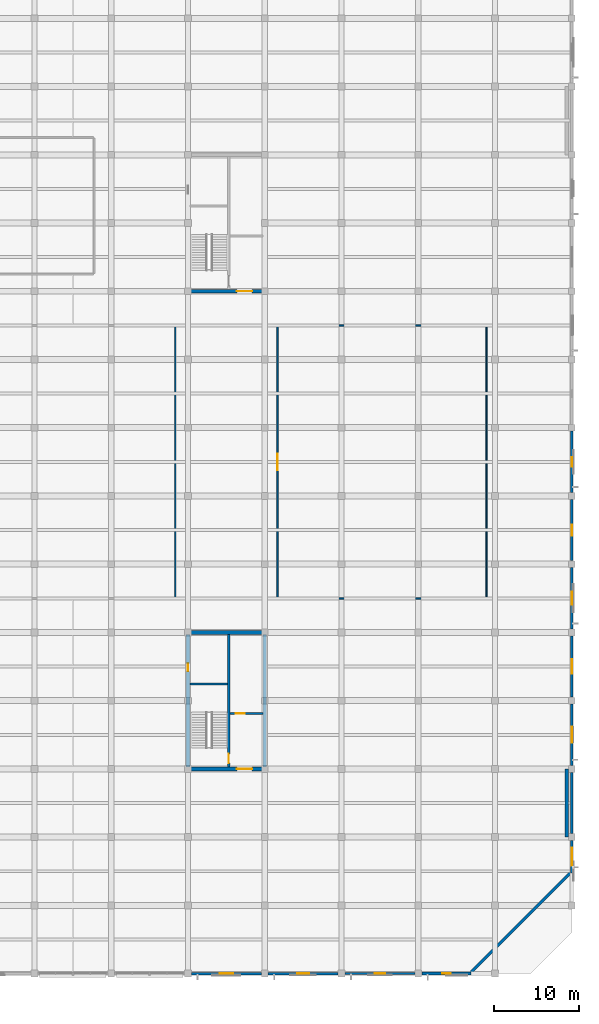
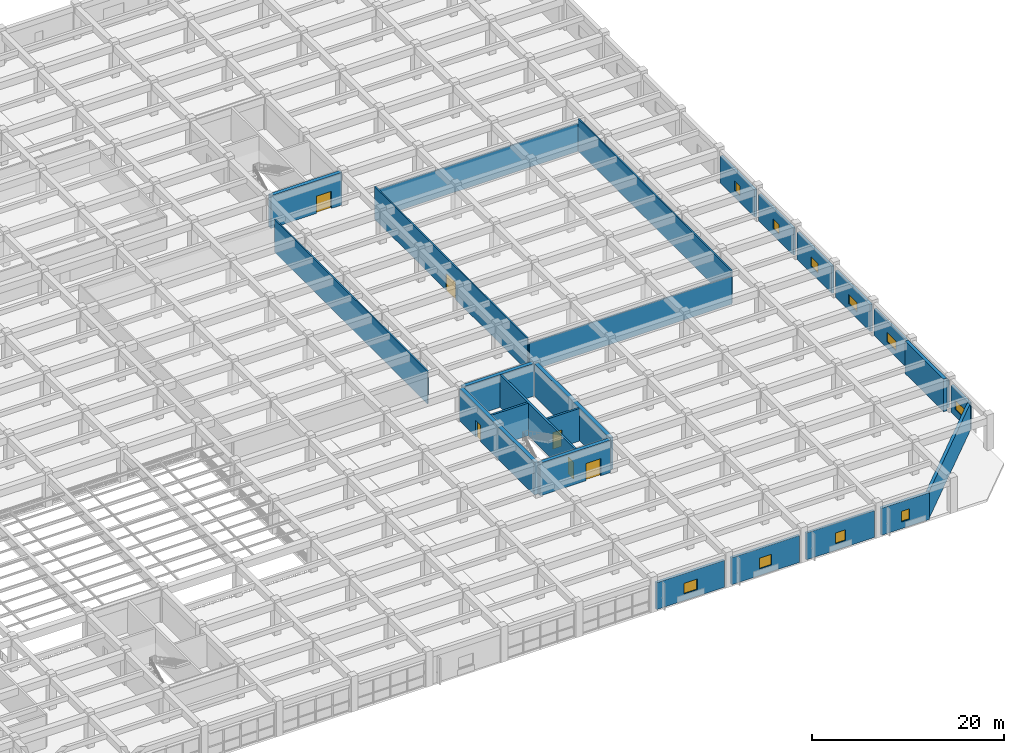
# One storey, part 33 of 50: 26 walls, 10 windows, 6 doors, 16 openings.
"""IFC4 building model written with IfcOpenShell, lengths in metres."""

from ifc_helpers import new_model, si_unit, direction, frame, frame_2d, origin, place, context, subcontext, project, spatial, rectangle, extrude, material, layer, layer_set, type_object, element, fill, save


model = new_model("IFC4")

# Units and contexts
model_context = context("Model", 3, precision=1e-05, world=origin(), true_north=direction((0.0, 1.0)))
body_context = subcontext(model_context, "Body", "Model", "MODEL_VIEW")
ifc_project = project(units=[si_unit("LENGTHUNIT", "METRE"), si_unit("AREAUNIT", "SQUARE_METRE"), si_unit("VOLUMEUNIT", "CUBIC_METRE"), si_unit("PLANEANGLEUNIT", "RADIAN"), si_unit("MASSUNIT", "GRAM", prefix="KILO")], contexts=[model_context])

# Site, building, storey
site_placement = place(None, origin())
site = spatial("IfcSite", under=ifc_project, at=site_placement, CompositionType="ELEMENT")
building_placement = place(site_placement, origin())
building = spatial("IfcBuilding", under=site, at=building_placement, Name="Zaverband Oceanarium and Marine Research Institute", CompositionType="ELEMENT")
storey_placement = place(building_placement, frame((0.0, 0.0, 9.0)))
storey = spatial("IfcBuildingStorey", under=building, at=storey_placement, Name="L02", CompositionType="ELEMENT", Elevation=9.0)

# Wall, opening, door
ifc_material_1 = material(Name="Concrete C50/60", Category="concrete")
ifc_layer_1 = layer(ifc_material_1, 0.449951171875, Name="Concrete C50/60")
ifc_layer_set_1 = layer_set([ifc_layer_1], Name="Concrete C50/60")
wall_type_1 = type_object("IfcWallType", Name="CW-02", PredefinedType="SHEAR", material=ifc_layer_set_1)
wall_1_placement = place(storey_placement, frame((135.22509765625, 24.0, 0.0), z_axis=(0.0, 0.0, 1.0), x_axis=(1.0, 0.0, 0.0)))
wall_1 = element("IfcWall", 1, at=wall_1_placement, inside=storey, type_object=wall_type_1, Name="Structural shear wall CW-02", PredefinedType="SHEAR", context=body_context, shape_type="SweptSolid", body=[
    extrude(rectangle(XDim=8.5498046875, YDim=0.449951171875, at=frame_2d((4.27490234375, 0.0))), origin(), (0.0, 0.0, 1.0), 4.139892578125),
])
opening_1_placement = place(wall_1_placement, frame((5.5, 0.0, 0.0)))
opening_1 = element("IfcOpeningElement", 2, at=opening_1_placement, cuts=wall_1, Name="Opening FD-02", PredefinedType="OPENING", context=body_context, shape_type="SweptSolid", body=[
    extrude(rectangle(XDim=1.800048828125, YDim=2.179931640625, at=frame_2d((0.89990234375, 1.08984375))), frame((0.0, 0.23681640625, 0.0), z_axis=(0.0, -1.0, 0.0), x_axis=(1.0, 0.0, 0.0)), (0.0, 0.0, 1.0), 0.473876953125),
])
ifc_material_2 = material(Name="Steel S355", Category="steel")
door_type_1 = type_object("IfcDoorType", Name="FD-02", OperationType="DOUBLE_DOOR_SINGLE_SWING", PredefinedType="DOOR", material=ifc_material_2)
door_1_placement = place(opening_1_placement, origin())
door_1 = element("IfcDoor", 3, at=door_1_placement, inside=storey, type_object=door_type_1, Name="Protected lobby double fire door FD-02", OperationType="DOUBLE_DOOR_SINGLE_SWING", OverallHeight=2.179931640625, OverallWidth=1.800048828125, PredefinedType="DOOR", context=body_context, shape_type="SweptSolid", body=[
    extrude(rectangle(XDim=1.800048828125, YDim=2.179931640625, at=frame_2d((0.89990234375, 1.08984375))), frame((0.0, 0.02490234375, 0.0), z_axis=(0.0, -1.0, 0.0), x_axis=(1.0, 0.0, 0.0)), (0.0, 0.0, 1.0), 0.050048828125),
])
fill(opening_1, door_1)

# Wall
wall_2_placement = place(storey_placement, frame((135.22509765625, 40.0, 0.0), z_axis=(0.0, 0.0, 1.0), x_axis=(1.0, 0.0, 0.0)))
element("IfcWall", 4, at=wall_2_placement, inside=storey, type_object=wall_type_1, Name="Structural shear wall CW-02", PredefinedType="SHEAR", context=body_context, shape_type="SweptSolid", body=[
    extrude(rectangle(XDim=8.5498046875, YDim=0.449951171875, at=frame_2d((4.27490234375, 0.0))), origin(), (0.0, 0.0, 1.0), 4.139892578125),
])

# Wall, opening, door
wall_3_placement = place(storey_placement, frame((135.0, 24.22509765625, 0.0), z_axis=(0.0, 0.0, 1.0), x_axis=(0.0, 1.0, 0.0)))
wall_3 = element("IfcWall", 5, at=wall_3_placement, inside=storey, type_object=wall_type_1, Name="Structural shear wall CW-02", PredefinedType="SHEAR", context=body_context, shape_type="SweptSolid", body=[
    extrude(rectangle(XDim=15.5498046875, YDim=0.449951171875, at=frame_2d((7.77490234375, 0.0))), origin(), (0.0, 0.0, 1.0), 4.139892578125),
])
opening_2_placement = place(wall_3_placement, frame((11.199951171875, 0.0, 0.0)))
opening_2 = element("IfcOpeningElement", 6, at=opening_2_placement, cuts=wall_3, Name="Opening FD-03", PredefinedType="OPENING", context=body_context, shape_type="SweptSolid", body=[
    extrude(rectangle(XDim=0.949951171875, YDim=2.10009765625, at=frame_2d((0.47509765625, 1.050048828125))), frame((0.0, 0.23681640625, 0.0), z_axis=(0.0, -1.0, 0.0), x_axis=(1.0, 0.0, 0.0)), (0.0, 0.0, 1.0), 0.473876953125),
])
door_type_2 = type_object("IfcDoorType", Name="FD-03", OperationType="NOTDEFINED", PredefinedType="DOOR", material=ifc_material_2)
door_2_placement = place(opening_2_placement, origin())
door_2 = element("IfcDoor", 7, at=door_2_placement, inside=storey, type_object=door_type_2, Name="Service riser access fire door FD-03", OperationType="SINGLE_SWING_RIGHT", OverallHeight=2.10009765625, OverallWidth=0.949951171875, PredefinedType="DOOR", context=body_context, shape_type="SweptSolid", body=[
    extrude(rectangle(XDim=0.949951171875, YDim=2.10009765625, at=frame_2d((0.47509765625, 1.050048828125))), frame((0.0, 0.02490234375, 0.0), z_axis=(0.0, -1.0, 0.0), x_axis=(1.0, 0.0, 0.0)), (0.0, 0.0, 1.0), 0.050048828125),
])
fill(opening_2, door_2)

# Wall
wall_4_placement = place(storey_placement, frame((144.0, 24.22509765625, 0.0), z_axis=(0.0, 0.0, 1.0), x_axis=(0.0, 1.0, 0.0)))
element("IfcWall", 8, at=wall_4_placement, inside=storey, type_object=wall_type_1, Name="Structural shear wall CW-02", PredefinedType="SHEAR", context=body_context, shape_type="SweptSolid", body=[
    extrude(rectangle(XDim=15.5498046875, YDim=0.449951171875, at=frame_2d((7.77490234375, 0.0))), origin(), (0.0, 0.0, 1.0), 4.139892578125),
])

# Wall, opening, door
wall_5_placement = place(storey_placement, frame((135.22509765625, 80.0, 0.0), z_axis=(0.0, 0.0, 1.0), x_axis=(1.0, 0.0, 0.0)))
wall_5 = element("IfcWall", 9, at=wall_5_placement, inside=storey, type_object=wall_type_1, Name="Structural shear wall CW-02", PredefinedType="SHEAR", context=body_context, shape_type="SweptSolid", body=[
    extrude(rectangle(XDim=8.5498046875, YDim=0.449951171875, at=frame_2d((4.27490234375, 0.0))), origin(), (0.0, 0.0, 1.0), 4.139892578125),
])
opening_3_placement = place(wall_5_placement, frame((5.5, 0.0, 0.0)))
opening_3 = element("IfcOpeningElement", 10, at=opening_3_placement, cuts=wall_5, Name="Opening FD-02", PredefinedType="OPENING", context=body_context, shape_type="SweptSolid", body=[
    extrude(rectangle(XDim=1.800048828125, YDim=2.179931640625, at=frame_2d((0.89990234375, 1.08984375))), frame((0.0, 0.23681640625, 0.0), z_axis=(0.0, -1.0, 0.0), x_axis=(1.0, 0.0, 0.0)), (0.0, 0.0, 1.0), 0.473876953125),
])
door_3_placement = place(opening_3_placement, origin())
door_3 = element("IfcDoor", 11, at=door_3_placement, inside=storey, type_object=door_type_1, Name="Protected lobby double fire door FD-02", OperationType="DOUBLE_DOOR_SINGLE_SWING", OverallHeight=2.179931640625, OverallWidth=1.800048828125, PredefinedType="DOOR", context=body_context, shape_type="SweptSolid", body=[
    extrude(rectangle(XDim=1.800048828125, YDim=2.179931640625, at=frame_2d((0.89990234375, 1.08984375))), frame((0.0, 0.02490234375, 0.0), z_axis=(0.0, -1.0, 0.0), x_axis=(1.0, 0.0, 0.0)), (0.0, 0.0, 1.0), 0.050048828125),
])
fill(opening_3, door_3)

# Wall, opening, window
ifc_material_3 = material(Name="Concrete C40/50 precast", Category="concrete")
ifc_layer_2 = layer(ifc_material_3, 0.264892578125, Name="Concrete C40/50 precast")
ifc_layer_set_2 = layer_set([ifc_layer_2], Name="Concrete C40/50 precast")
wall_type_2 = type_object("IfcWallType", Name="EW-265", PredefinedType="STANDARD", material=ifc_layer_set_2)
wall_6_placement = place(storey_placement, frame((153.405029296875, 0.0, 0.0), z_axis=(0.0, 0.0, 1.0), x_axis=(1.0, 0.0, 0.0)))
wall_6 = element("IfcWall", 12, at=wall_6_placement, inside=storey, type_object=wall_type_2, Name="Exterior infill wall EW-265", PredefinedType="STANDARD", context=body_context, shape_type="SweptSolid", body=[
    extrude(rectangle(XDim=8.18994140625, YDim=0.264892578125, at=frame_2d((4.094970703125, 0.0))), origin(), (0.0, 0.0, 1.0), 3.419921875),
])
opening_4_placement = place(wall_6_placement, frame((3.4951171875, 0.0, 0.85009765625)))
opening_4 = element("IfcOpeningElement", 13, at=opening_4_placement, cuts=wall_6, Name="Opening WN-1200x1350", PredefinedType="OPENING", context=body_context, shape_type="SweptSolid", body=[
    extrude(rectangle(XDim=1.199951171875, YDim=1.35009765625, at=frame_2d((0.60009765625, 0.675048828125))), frame((0.0, 0.14453125, 0.0), z_axis=(0.0, -1.0, 0.0), x_axis=(1.0, 0.0, 0.0)), (0.0, 0.0, 1.0), 0.288818359375),
])
ifc_material_4 = material(Name="Thermally broken anodized aluminium and solar-control glass", Category="aluminium")
window_type_1 = type_object("IfcWindowType", Name="WN-1200x1350", PartitioningType="SINGLE_PANEL", PredefinedType="WINDOW", material=ifc_material_4)
window_1_placement = place(opening_4_placement, origin())
window_1 = element("IfcWindow", 14, at=window_1_placement, inside=storey, type_object=window_type_1, Name="Fixed / casement exterior window WN-1200x1350", OverallHeight=1.35009765625, OverallWidth=1.199951171875, PartitioningType="SINGLE_PANEL", PredefinedType="WINDOW", context=body_context, shape_type="SweptSolid", body=[
    extrude(rectangle(XDim=1.199951171875, YDim=1.35009765625, at=frame_2d((0.60009765625, 0.675048828125))), frame((0.0, 0.030029296875, 0.0), z_axis=(0.0, -1.0, 0.0), x_axis=(1.0, 0.0, 0.0)), (0.0, 0.0, 1.0), 0.06005859375),
])
fill(opening_4, window_1)

wall_7_placement = place(storey_placement, frame((180.0, 24.405029296875, 0.0), z_axis=(0.0, 0.0, 1.0), x_axis=(0.0, 1.0, 0.0)))
wall_7 = element("IfcWall", 15, at=wall_7_placement, inside=storey, type_object=wall_type_2, Name="Exterior infill wall EW-265", PredefinedType="STANDARD", context=body_context, shape_type="SweptSolid", body=[
    extrude(rectangle(XDim=7.18994140625, YDim=0.264892578125, at=frame_2d((3.594970703125, 0.0))), origin(), (0.0, 0.0, 1.0), 3.419921875),
])
opening_5_placement = place(wall_7_placement, frame((2.64501953125, 0.0, 0.85009765625)))
opening_5 = element("IfcOpeningElement", 16, at=opening_5_placement, cuts=wall_7, Name="Opening WN-1900x1200", PredefinedType="OPENING", context=body_context, shape_type="SweptSolid", body=[
    extrude(rectangle(XDim=1.89990234375, YDim=1.199951171875, at=frame_2d((0.949951171875, 0.60009765625))), frame((0.0, 0.14453125, 0.0), z_axis=(0.0, -1.0, 0.0), x_axis=(1.0, 0.0, 0.0)), (0.0, 0.0, 1.0), 0.288818359375),
])
window_type_2 = type_object("IfcWindowType", Name="WN-1900x1200", PartitioningType="SINGLE_PANEL", PredefinedType="WINDOW", material=ifc_material_4)
window_2_placement = place(opening_5_placement, origin())
window_2 = element("IfcWindow", 17, at=window_2_placement, inside=storey, type_object=window_type_2, Name="Fixed / casement exterior window WN-1900x1200", OverallHeight=1.199951171875, OverallWidth=1.89990234375, PartitioningType="SINGLE_PANEL", PredefinedType="WINDOW", context=body_context, shape_type="SweptSolid", body=[
    extrude(rectangle(XDim=1.89990234375, YDim=1.199951171875, at=frame_2d((0.949951171875, 0.60009765625))), frame((0.0, 0.030029296875, 0.0), z_axis=(0.0, -1.0, 0.0), x_axis=(1.0, 0.0, 0.0)), (0.0, 0.0, 1.0), 0.06005859375),
])
fill(opening_5, window_2)

wall_8_placement = place(storey_placement, frame((180.0, 48.405029296875, 0.0), z_axis=(0.0, 0.0, 1.0), x_axis=(0.0, 1.0, 0.0)))
wall_8 = element("IfcWall", 18, at=wall_8_placement, inside=storey, type_object=wall_type_2, Name="Exterior infill wall EW-265", PredefinedType="STANDARD", context=body_context, shape_type="SweptSolid", body=[
    extrude(rectangle(XDim=7.18994140625, YDim=0.264892578125, at=frame_2d((3.594970703125, 0.0))), origin(), (0.0, 0.0, 1.0), 3.419921875),
])
opening_6_placement = place(wall_8_placement, frame((2.945068359375, 0.0, 0.85009765625)))
opening_6 = element("IfcOpeningElement", 19, at=opening_6_placement, cuts=wall_8, Name="Opening WN-1300x1200", PredefinedType="OPENING", context=body_context, shape_type="SweptSolid", body=[
    extrude(rectangle(XDim=1.300048828125, YDim=1.199951171875, at=frame_2d((0.64990234375, 0.60009765625))), frame((0.0, 0.14453125, 0.0), z_axis=(0.0, -1.0, 0.0), x_axis=(1.0, 0.0, 0.0)), (0.0, 0.0, 1.0), 0.288818359375),
])
window_type_3 = type_object("IfcWindowType", Name="WN-1300x1200", PartitioningType="SINGLE_PANEL", PredefinedType="WINDOW", material=ifc_material_4)
window_3_placement = place(opening_6_placement, origin())
window_3 = element("IfcWindow", 20, at=window_3_placement, inside=storey, type_object=window_type_3, Name="Fixed / casement exterior window WN-1300x1200", OverallHeight=1.199951171875, OverallWidth=1.300048828125, PartitioningType="SINGLE_PANEL", PredefinedType="WINDOW", context=body_context, shape_type="SweptSolid", body=[
    extrude(rectangle(XDim=1.300048828125, YDim=1.199951171875, at=frame_2d((0.64990234375, 0.60009765625))), frame((0.0, 0.030029296875, 0.0), z_axis=(0.0, -1.0, 0.0), x_axis=(1.0, 0.0, 0.0)), (0.0, 0.0, 1.0), 0.06005859375),
])
fill(opening_6, window_3)

ifc_layer_3 = layer(ifc_material_3, 0.2900390625, Name="Concrete C40/50 precast")
ifc_layer_set_3 = layer_set([ifc_layer_3], Name="Concrete C40/50 precast")
wall_type_3 = type_object("IfcWallType", Name="EW-290", PredefinedType="STANDARD", material=ifc_layer_set_3)
wall_9_placement = place(storey_placement, frame((144.405029296875, 0.0, 0.0), z_axis=(0.0, 0.0, 1.0), x_axis=(1.0, 0.0, 0.0)))
wall_9 = element("IfcWall", 21, at=wall_9_placement, inside=storey, type_object=wall_type_3, Name="Exterior infill wall EW-290", PredefinedType="STANDARD", context=body_context, shape_type="SweptSolid", body=[
    extrude(rectangle(XDim=8.18994140625, YDim=0.2900390625, at=frame_2d((4.094970703125, 0.0))), origin(), (0.0, 0.0, 1.0), 3.419921875),
])
opening_7_placement = place(wall_9_placement, frame((3.39501953125, 0.0, 0.85009765625)))
opening_7 = element("IfcOpeningElement", 22, at=opening_7_placement, cuts=wall_9, Name="Opening WN-1400x1350", PredefinedType="OPENING", context=body_context, shape_type="SweptSolid", body=[
    extrude(rectangle(XDim=1.39990234375, YDim=1.35009765625, at=frame_2d((0.699951171875, 0.675048828125))), frame((0.0, 0.156982421875, 0.0), z_axis=(0.0, -1.0, 0.0), x_axis=(1.0, 0.0, 0.0)), (0.0, 0.0, 1.0), 0.31396484375),
])
window_type_4 = type_object("IfcWindowType", Name="WN-1400x1350", PartitioningType="SINGLE_PANEL", PredefinedType="WINDOW", material=ifc_material_4)
window_4_placement = place(opening_7_placement, origin())
window_4 = element("IfcWindow", 23, at=window_4_placement, inside=storey, type_object=window_type_4, Name="Fixed / casement exterior window WN-1400x1350", OverallHeight=1.35009765625, OverallWidth=1.39990234375, PartitioningType="SINGLE_PANEL", PredefinedType="WINDOW", context=body_context, shape_type="SweptSolid", body=[
    extrude(rectangle(XDim=1.39990234375, YDim=1.35009765625, at=frame_2d((0.699951171875, 0.675048828125))), frame((0.0, 0.030029296875, 0.0), z_axis=(0.0, -1.0, 0.0), x_axis=(1.0, 0.0, 0.0)), (0.0, 0.0, 1.0), 0.06005859375),
])
fill(opening_7, window_4)

# Wall
wall_10_placement = place(storey_placement, frame((180.0, 16.405029296875, 0.0), z_axis=(0.0, 0.0, 1.0), x_axis=(0.0, 1.0, 0.0)))
element("IfcWall", 24, at=wall_10_placement, inside=storey, type_object=wall_type_3, Name="Exterior infill wall EW-290", PredefinedType="STANDARD", context=body_context, shape_type="SweptSolid", body=[
    extrude(rectangle(XDim=7.18994140625, YDim=0.2900390625, at=frame_2d((3.594970703125, 0.0))), origin(), (0.0, 0.0, 1.0), 3.419921875),
])

# Wall, opening, window
wall_11_placement = place(storey_placement, frame((180.0, 40.405029296875, 0.0), z_axis=(0.0, 0.0, 1.0), x_axis=(0.0, 1.0, 0.0)))
wall_11 = element("IfcWall", 25, at=wall_11_placement, inside=storey, type_object=wall_type_3, Name="Exterior infill wall EW-290", PredefinedType="STANDARD", context=body_context, shape_type="SweptSolid", body=[
    extrude(rectangle(XDim=7.18994140625, YDim=0.2900390625, at=frame_2d((3.594970703125, 0.0))), origin(), (0.0, 0.0, 1.0), 3.419921875),
])
opening_8_placement = place(wall_11_placement, frame((2.844970703125, 0.0, 0.85009765625)))
opening_8 = element("IfcOpeningElement", 26, at=opening_8_placement, cuts=wall_11, Name="Opening WN-1500x1200", PredefinedType="OPENING", context=body_context, shape_type="SweptSolid", body=[
    extrude(rectangle(XDim=1.5, YDim=1.199951171875, at=frame_2d((0.75, 0.60009765625))), frame((0.0, 0.156982421875, 0.0), z_axis=(0.0, -1.0, 0.0), x_axis=(1.0, 0.0, 0.0)), (0.0, 0.0, 1.0), 0.31396484375),
])
window_type_5 = type_object("IfcWindowType", Name="WN-1500x1200", PartitioningType="SINGLE_PANEL", PredefinedType="WINDOW", material=ifc_material_4)
window_5_placement = place(opening_8_placement, origin())
window_5 = element("IfcWindow", 27, at=window_5_placement, inside=storey, type_object=window_type_5, Name="Fixed / casement exterior window WN-1500x1200", OverallHeight=1.199951171875, OverallWidth=1.5, PartitioningType="SINGLE_PANEL", PredefinedType="WINDOW", context=body_context, shape_type="SweptSolid", body=[
    extrude(rectangle(XDim=1.5, YDim=1.199951171875, at=frame_2d((0.75, 0.60009765625))), frame((0.0, 0.030029296875, 0.0), z_axis=(0.0, -1.0, 0.0), x_axis=(1.0, 0.0, 0.0)), (0.0, 0.0, 1.0), 0.06005859375),
])
fill(opening_8, window_5)

ifc_layer_4 = layer(ifc_material_3, 0.31005859375, Name="Concrete C40/50 precast")
ifc_layer_set_4 = layer_set([ifc_layer_4], Name="Concrete C40/50 precast")
wall_type_4 = type_object("IfcWallType", Name="EW-310", PredefinedType="STANDARD", material=ifc_layer_set_4)
wall_12_placement = place(storey_placement, frame((135.405029296875, 0.0, 0.0), z_axis=(0.0, 0.0, 1.0), x_axis=(1.0, 0.0, 0.0)))
wall_12 = element("IfcWall", 28, at=wall_12_placement, inside=storey, type_object=wall_type_4, Name="Exterior infill wall EW-310", PredefinedType="STANDARD", context=body_context, shape_type="SweptSolid", body=[
    extrude(rectangle(XDim=8.18994140625, YDim=0.31005859375, at=frame_2d((4.094970703125, 0.0))), origin(), (0.0, 0.0, 1.0), 3.419921875),
])
opening_9_placement = place(wall_12_placement, frame((3.294921875, 0.0, 0.85009765625)))
opening_9 = element("IfcOpeningElement", 29, at=opening_9_placement, cuts=wall_12, Name="Opening WN-1600x1350", PredefinedType="OPENING", context=body_context, shape_type="SweptSolid", body=[
    extrude(rectangle(XDim=1.60009765625, YDim=1.35009765625, at=frame_2d((0.800048828125, 0.675048828125))), frame((0.0, 0.1669921875, 0.0), z_axis=(0.0, -1.0, 0.0), x_axis=(1.0, 0.0, 0.0)), (0.0, 0.0, 1.0), 0.333984375),
])
window_type_6 = type_object("IfcWindowType", Name="WN-1600x1350", PartitioningType="SINGLE_PANEL", PredefinedType="WINDOW", material=ifc_material_4)
window_6_placement = place(opening_9_placement, origin())
window_6 = element("IfcWindow", 30, at=window_6_placement, inside=storey, type_object=window_type_6, Name="Fixed / casement exterior window WN-1600x1350", OverallHeight=1.35009765625, OverallWidth=1.60009765625, PartitioningType="SINGLE_PANEL", PredefinedType="WINDOW", context=body_context, shape_type="SweptSolid", body=[
    extrude(rectangle(XDim=1.60009765625, YDim=1.35009765625, at=frame_2d((0.800048828125, 0.675048828125))), frame((0.0, 0.030029296875, 0.0), z_axis=(0.0, -1.0, 0.0), x_axis=(1.0, 0.0, 0.0)), (0.0, 0.0, 1.0), 0.06005859375),
])
fill(opening_9, window_6)

wall_13_placement = place(storey_placement, frame((180.0, 11.820068359375, 0.0), z_axis=(0.0, 0.0, 1.0), x_axis=(0.0, 1.0, 0.0)))
wall_13 = element("IfcWall", 31, at=wall_13_placement, inside=storey, type_object=wall_type_4, Name="Exterior infill wall EW-310", PredefinedType="STANDARD", context=body_context, shape_type="SweptSolid", body=[
    extrude(rectangle(XDim=3.77490234375, YDim=0.31005859375, at=frame_2d((1.887451171875, 0.0))), origin(), (0.0, 0.0, 1.0), 3.419921875),
])
opening_10_placement = place(wall_13_placement, frame((0.83740234375, 0.0, 0.85009765625)))
opening_10 = element("IfcOpeningElement", 32, at=opening_10_placement, cuts=wall_13, Name="Opening WN-2100x1200", PredefinedType="OPENING", context=body_context, shape_type="SweptSolid", body=[
    extrude(rectangle(XDim=2.10009765625, YDim=1.199951171875, at=frame_2d((1.050048828125, 0.60009765625))), frame((0.0, 0.1669921875, 0.0), z_axis=(0.0, -1.0, 0.0), x_axis=(1.0, 0.0, 0.0)), (0.0, 0.0, 1.0), 0.333984375),
])
window_type_7 = type_object("IfcWindowType", Name="WN-2100x1200", PartitioningType="SINGLE_PANEL", PredefinedType="WINDOW", material=ifc_material_4)
window_7_placement = place(opening_10_placement, origin())
window_7 = element("IfcWindow", 33, at=window_7_placement, inside=storey, type_object=window_type_7, Name="Fixed / casement exterior window WN-2100x1200", OverallHeight=1.199951171875, OverallWidth=2.10009765625, PartitioningType="SINGLE_PANEL", PredefinedType="WINDOW", context=body_context, shape_type="SweptSolid", body=[
    extrude(rectangle(XDim=2.10009765625, YDim=1.199951171875, at=frame_2d((1.050048828125, 0.60009765625))), frame((0.0, 0.030029296875, 0.0), z_axis=(0.0, -1.0, 0.0), x_axis=(1.0, 0.0, 0.0)), (0.0, 0.0, 1.0), 0.06005859375),
])
fill(opening_10, window_7)

wall_14_placement = place(storey_placement, frame((180.0, 32.405029296875, 0.0), z_axis=(0.0, 0.0, 1.0), x_axis=(0.0, 1.0, 0.0)))
wall_14 = element("IfcWall", 34, at=wall_14_placement, inside=storey, type_object=wall_type_4, Name="Exterior infill wall EW-310", PredefinedType="STANDARD", context=body_context, shape_type="SweptSolid", body=[
    extrude(rectangle(XDim=7.18994140625, YDim=0.31005859375, at=frame_2d((3.594970703125, 0.0))), origin(), (0.0, 0.0, 1.0), 3.419921875),
])
opening_11_placement = place(wall_14_placement, frame((2.7451171875, 0.0, 0.85009765625)))
opening_11 = element("IfcOpeningElement", 35, at=opening_11_placement, cuts=wall_14, Name="Opening WN-1700x1200", PredefinedType="OPENING", context=body_context, shape_type="SweptSolid", body=[
    extrude(rectangle(XDim=1.699951171875, YDim=1.199951171875, at=frame_2d((0.85009765625, 0.60009765625))), frame((0.0, 0.1669921875, 0.0), z_axis=(0.0, -1.0, 0.0), x_axis=(1.0, 0.0, 0.0)), (0.0, 0.0, 1.0), 0.333984375),
])
window_type_8 = type_object("IfcWindowType", Name="WN-1700x1200", PartitioningType="SINGLE_PANEL", PredefinedType="WINDOW", material=ifc_material_4)
window_8_placement = place(opening_11_placement, origin())
window_8 = element("IfcWindow", 36, at=window_8_placement, inside=storey, type_object=window_type_8, Name="Fixed / casement exterior window WN-1700x1200", OverallHeight=1.199951171875, OverallWidth=1.699951171875, PartitioningType="SINGLE_PANEL", PredefinedType="WINDOW", context=body_context, shape_type="SweptSolid", body=[
    extrude(rectangle(XDim=1.699951171875, YDim=1.199951171875, at=frame_2d((0.85009765625, 0.60009765625))), frame((0.0, 0.030029296875, 0.0), z_axis=(0.0, -1.0, 0.0), x_axis=(1.0, 0.0, 0.0)), (0.0, 0.0, 1.0), 0.06005859375),
])
fill(opening_11, window_8)

wall_15_placement = place(storey_placement, frame((180.0, 56.405029296875, 0.0), z_axis=(0.0, 0.0, 1.0), x_axis=(0.0, 1.0, 0.0)))
wall_15 = element("IfcWall", 37, at=wall_15_placement, inside=storey, type_object=wall_type_4, Name="Exterior infill wall EW-310", PredefinedType="STANDARD", context=body_context, shape_type="SweptSolid", body=[
    extrude(rectangle(XDim=7.18994140625, YDim=0.31005859375, at=frame_2d((3.594970703125, 0.0))), origin(), (0.0, 0.0, 1.0), 3.419921875),
])
opening_12_placement = place(wall_15_placement, frame((3.044921875, 0.0, 0.85009765625)))
opening_12 = element("IfcOpeningElement", 38, at=opening_12_placement, cuts=wall_15, Name="Opening WN-1100x1200", PredefinedType="OPENING", context=body_context, shape_type="SweptSolid", body=[
    extrude(rectangle(XDim=1.10009765625, YDim=1.199951171875, at=frame_2d((0.550048828125, 0.60009765625))), frame((0.0, 0.1669921875, 0.0), z_axis=(0.0, -1.0, 0.0), x_axis=(1.0, 0.0, 0.0)), (0.0, 0.0, 1.0), 0.333984375),
])
window_type_9 = type_object("IfcWindowType", Name="WN-1100x1200", PartitioningType="SINGLE_PANEL", PredefinedType="WINDOW", material=ifc_material_4)
window_9_placement = place(opening_12_placement, origin())
window_9 = element("IfcWindow", 39, at=window_9_placement, inside=storey, type_object=window_type_9, Name="Fixed / casement exterior window WN-1100x1200", OverallHeight=1.199951171875, OverallWidth=1.10009765625, PartitioningType="SINGLE_PANEL", PredefinedType="WINDOW", context=body_context, shape_type="SweptSolid", body=[
    extrude(rectangle(XDim=1.10009765625, YDim=1.199951171875, at=frame_2d((0.550048828125, 0.60009765625))), frame((0.0, 0.030029296875, 0.0), z_axis=(0.0, -1.0, 0.0), x_axis=(1.0, 0.0, 0.0)), (0.0, 0.0, 1.0), 0.06005859375),
])
fill(opening_12, window_9)

ifc_layer_5 = layer(ifc_material_3, 0.340087890625, Name="Concrete C40/50 precast")
ifc_layer_set_5 = layer_set([ifc_layer_5], Name="Concrete C40/50 precast")
wall_type_5 = type_object("IfcWallType", Name="EW-340", PredefinedType="STANDARD", material=ifc_layer_set_5)
wall_16_placement = place(storey_placement, frame((162.405029296875, 0.0, 0.0), z_axis=(0.0, 0.0, 1.0), x_axis=(1.0, 0.0, 0.0)))
wall_16 = element("IfcWall", 40, at=wall_16_placement, inside=storey, type_object=wall_type_5, Name="Exterior infill wall EW-340", PredefinedType="STANDARD", context=body_context, shape_type="SweptSolid", body=[
    extrude(rectangle(XDim=5.77490234375, YDim=0.340087890625, at=frame_2d((2.887451171875, 0.0))), origin(), (0.0, 0.0, 1.0), 3.419921875),
])
opening_13_placement = place(wall_16_placement, frame((2.387451171875, 0.0, 0.85009765625)))
opening_13 = element("IfcOpeningElement", 41, at=opening_13_placement, cuts=wall_16, Name="Opening WN-1000x1350", PredefinedType="OPENING", context=body_context, shape_type="SweptSolid", body=[
    extrude(rectangle(XDim=1.0, YDim=1.35009765625, at=frame_2d((0.5, 0.675048828125))), frame((0.0, 0.18212890625, 0.0), z_axis=(0.0, -1.0, 0.0), x_axis=(1.0, 0.0, 0.0)), (0.0, 0.0, 1.0), 0.364013671875),
])
window_type_10 = type_object("IfcWindowType", Name="WN-1000x1350", PartitioningType="SINGLE_PANEL", PredefinedType="WINDOW", material=ifc_material_4)
window_10_placement = place(opening_13_placement, origin())
window_10 = element("IfcWindow", 42, at=window_10_placement, inside=storey, type_object=window_type_10, Name="Fixed / casement exterior window WN-1000x1350", OverallHeight=1.35009765625, OverallWidth=1.0, PartitioningType="SINGLE_PANEL", PredefinedType="WINDOW", context=body_context, shape_type="SweptSolid", body=[
    extrude(rectangle(XDim=1.0, YDim=1.35009765625, at=frame_2d((0.5, 0.675048828125))), frame((0.0, 0.030029296875, 0.0), z_axis=(0.0, -1.0, 0.0), x_axis=(1.0, 0.0, 0.0)), (0.0, 0.0, 1.0), 0.06005859375),
])
fill(opening_13, window_10)

# Walls
wall_17_placement = place(storey_placement, frame((168.179931640625, 0.179931640625, 0.0), z_axis=(0.0, 0.0, 1.0), x_axis=(0.707106781187, 0.707106781187, 0.0)))
element("IfcWall", 43, at=wall_17_placement, inside=storey, type_object=wall_type_5, Name="Exterior infill wall EW-340", PredefinedType="STANDARD", context=body_context, shape_type="SweptSolid", body=[
    extrude(rectangle(XDim=16.461669921875, YDim=0.340087890625, at=frame_2d((8.23095703125, 0.0))), origin(), (0.0, 0.0, 1.0), 3.419921875),
])
ifc_material_5 = material(Name="Corridor rated drywall partition")
ifc_layer_6 = layer(ifc_material_5, 0.1650390625, Name="Corridor rated drywall partition")
ifc_layer_set_6 = layer_set([ifc_layer_6], Name="Corridor rated drywall partition")
wall_type_6 = type_object("IfcWallType", Name="PT-165-CR", PredefinedType="PARTITIONING", material=ifc_layer_set_6)
wall_18_placement = place(storey_placement, frame((133.5, 44.08251953125, 0.0), z_axis=(0.0, 0.0, 1.0), x_axis=(0.0, 1.0, 0.0)))
element("IfcWall", 44, at=wall_18_placement, inside=storey, type_object=wall_type_6, Name="Internal partition PT-165-CR", PredefinedType="PARTITIONING", context=body_context, shape_type="SweptSolid", body=[
    extrude(rectangle(XDim=31.8349609375, YDim=0.1650390625, at=frame_2d((15.91748046875, 0.0))), origin(), (0.0, 0.0, 1.0), 4.139892578125),
])
for number, where, z_axis, x_axis, name in (
    (45, (145.58251953125, 44.0, 0.0), (0.0, 0.0, 1.0), (1.0, 0.0, 0.0), "Internal partition PT-165-CR"),
    (46, (145.58251953125, 76.0, 0.0), (0.0, 0.0, 1.0), (1.0, 0.0, 0.0), "Internal partition PT-165-CR"),
):
    element("IfcWall", number, at=place(storey_placement, frame(where, z_axis=z_axis, x_axis=x_axis)), inside=storey, type_object=wall_type_6, Name=name, PredefinedType="PARTITIONING", context=body_context, shape_type="SweptSolid", body=[
        extrude(rectangle(XDim=24.3349609375, YDim=0.1650390625, at=frame_2d((12.16748046875, 0.0))), origin(), (0.0, 0.0, 1.0), 3.5400390625),
    ])

# Wall, opening, door
wall_19_placement = place(storey_placement, frame((145.5, 44.08251953125, 0.0), z_axis=(0.0, 0.0, 1.0), x_axis=(0.0, 1.0, 0.0)))
wall_19 = element("IfcWall", 47, at=wall_19_placement, inside=storey, type_object=wall_type_6, Name="Internal partition PT-165-CR", PredefinedType="PARTITIONING", context=body_context, shape_type="SweptSolid", body=[
    extrude(rectangle(XDim=31.8349609375, YDim=0.1650390625, at=frame_2d((15.91748046875, 0.0))), origin(), (0.0, 0.0, 1.0), 4.139892578125),
])
opening_14_placement = place(wall_19_placement, frame((14.95751953125, 0.0, 0.0)))
opening_14 = element("IfcOpeningElement", 48, at=opening_14_placement, cuts=wall_19, Name="Opening ID-1920x2180", PredefinedType="OPENING", context=body_context, shape_type="SweptSolid", body=[
    extrude(rectangle(XDim=1.919921875, YDim=2.179931640625, at=frame_2d((0.9599609375, 1.08984375))), frame((0.0, 0.094482421875, 0.0), z_axis=(0.0, -1.0, 0.0), x_axis=(1.0, 0.0, 0.0)), (0.0, 0.0, 1.0), 0.18896484375),
])
ifc_material_6 = material(Name="Hardwood-veneered acoustic timber", Category="wood")
door_type_3 = type_object("IfcDoorType", Name="ID-1920x2180", OperationType="DOUBLE_DOOR_SINGLE_SWING", PredefinedType="DOOR", material=ifc_material_6)
door_4_placement = place(opening_14_placement, origin())
door_4 = element("IfcDoor", 49, at=door_4_placement, inside=storey, type_object=door_type_3, Name="Exhibition hall double door ID-1920x2180", OperationType="DOUBLE_DOOR_SINGLE_SWING", OverallHeight=2.179931640625, OverallWidth=1.919921875, PredefinedType="DOOR", context=body_context, shape_type="SweptSolid", body=[
    extrude(rectangle(XDim=1.919921875, YDim=2.179931640625, at=frame_2d((0.9599609375, 1.08984375))), frame((0.0, 0.02490234375, 0.0), z_axis=(0.0, -1.0, 0.0), x_axis=(1.0, 0.0, 0.0)), (0.0, 0.0, 1.0), 0.050048828125),
])
fill(opening_14, door_4)

# Wall
wall_20_placement = place(storey_placement, frame((170.0, 44.08251953125, 0.0), z_axis=(0.0, 0.0, 1.0), x_axis=(0.0, 1.0, 0.0)))
element("IfcWall", 50, at=wall_20_placement, inside=storey, type_object=wall_type_6, Name="Internal partition PT-165-CR", PredefinedType="PARTITIONING", context=body_context, shape_type="SweptSolid", body=[
    extrude(rectangle(XDim=31.8349609375, YDim=0.1650390625, at=frame_2d((15.91748046875, 0.0))), origin(), (0.0, 0.0, 1.0), 4.139892578125),
])

# Wall, opening, door
ifc_layer_7 = layer(ifc_material_1, 0.25, Name="Concrete C50/60")
ifc_layer_set_7 = layer_set([ifc_layer_7], Name="Concrete C50/60")
wall_type_7 = type_object("IfcWallType", Name="PW-CORE-250", PredefinedType="SOLIDWALL", material=ifc_layer_set_7)
wall_21_placement = place(storey_placement, frame((139.77490234375, 24.22509765625, 0.0), z_axis=(0.0, 0.0, 1.0), x_axis=(0.0, 1.0, 0.0)))
wall_21 = element("IfcWall", 51, at=wall_21_placement, inside=storey, type_object=wall_type_7, Name="Structural concrete wall PW-CORE-250", PredefinedType="SOLIDWALL", context=body_context, shape_type="SweptSolid", body=[
    extrude(rectangle(XDim=15.5498046875, YDim=0.25, at=frame_2d((7.77490234375, 0.0))), origin(), (0.0, 0.0, 1.0), 4.139892578125),
])
opening_15_placement = place(wall_21_placement, frame((0.449951171875, 0.0, 0.0)))
opening_15 = element("IfcOpeningElement", 52, at=opening_15_placement, cuts=wall_21, Name="Opening FD-01", PredefinedType="OPENING", context=body_context, shape_type="SweptSolid", body=[
    extrude(rectangle(XDim=1.10009765625, YDim=2.14990234375, at=frame_2d((0.550048828125, 1.074951171875))), frame((0.0, 0.136962890625, 0.0), z_axis=(0.0, -1.0, 0.0), x_axis=(1.0, 0.0, 0.0)), (0.0, 0.0, 1.0), 0.27392578125),
])
door_type_4 = type_object("IfcDoorType", Name="FD-01", OperationType="NOTDEFINED", PredefinedType="DOOR", material=ifc_material_2)
door_5_placement = place(opening_15_placement, origin())
door_5 = element("IfcDoor", 53, at=door_5_placement, inside=storey, type_object=door_type_4, Name="Core stair / lobby fire door FD-01", OperationType="SINGLE_SWING_LEFT", OverallHeight=2.14990234375, OverallWidth=1.10009765625, PredefinedType="DOOR", context=body_context, shape_type="SweptSolid", body=[
    extrude(rectangle(XDim=1.10009765625, YDim=2.14990234375, at=frame_2d((0.550048828125, 1.074951171875))), frame((0.0, 0.02490234375, 0.0), z_axis=(0.0, -1.0, 0.0), x_axis=(1.0, 0.0, 0.0)), (0.0, 0.0, 1.0), 0.050048828125),
])
fill(opening_15, door_5)

# Wall
wall_22_placement = place(storey_placement, frame((135.22509765625, 33.97509765625, 0.0), z_axis=(0.0, 0.0, 1.0), x_axis=(1.0, 0.0, 0.0)))
element("IfcWall", 54, at=wall_22_placement, inside=storey, type_object=wall_type_7, Name="Structural concrete wall PW-CORE-250", PredefinedType="SOLIDWALL", context=body_context, shape_type="SweptSolid", body=[
    extrude(rectangle(XDim=4.419921875, YDim=0.25, at=frame_2d((2.2099609375, 0.0))), origin(), (0.0, 0.0, 1.0), 4.139892578125),
])

# Wall, opening, door
wall_23_placement = place(storey_placement, frame((139.905029296875, 30.47509765625, 0.0), z_axis=(0.0, 0.0, 1.0), x_axis=(1.0, 0.0, 0.0)))
wall_23 = element("IfcWall", 55, at=wall_23_placement, inside=storey, type_object=wall_type_7, Name="Structural concrete wall PW-CORE-250", PredefinedType="SOLIDWALL", context=body_context, shape_type="SweptSolid", body=[
    extrude(rectangle(XDim=3.869873046875, YDim=0.25, at=frame_2d((1.93505859375, 0.0))), origin(), (0.0, 0.0, 1.0), 4.139892578125),
])
opening_16_placement = place(wall_23_placement, frame((0.719970703125, 0.0, 0.0)))
opening_16 = element("IfcOpeningElement", 56, at=opening_16_placement, cuts=wall_23, Name="Opening LD-02", PredefinedType="OPENING", context=body_context, shape_type="SweptSolid", body=[
    extrude(rectangle(XDim=1.050048828125, YDim=2.1201171875, at=frame_2d((0.52490234375, 1.06005859375))), frame((0.0, 0.136962890625, 0.0), z_axis=(0.0, -1.0, 0.0), x_axis=(1.0, 0.0, 0.0)), (0.0, 0.0, 1.0), 0.27392578125),
])
door_type_5 = type_object("IfcDoorType", Name="LD-02", OperationType="DOUBLE_DOOR_SLIDING", PredefinedType="DOOR", material=ifc_material_2)
door_6_placement = place(opening_16_placement, origin())
door_6 = element("IfcDoor", 57, at=door_6_placement, inside=storey, type_object=door_type_5, Name="Passenger lift sliding landing door LD-02", OperationType="DOUBLE_DOOR_SLIDING", OverallHeight=2.1201171875, OverallWidth=1.050048828125, PredefinedType="DOOR", context=body_context, shape_type="SweptSolid", body=[
    extrude(rectangle(XDim=1.050048828125, YDim=2.1201171875, at=frame_2d((0.52490234375, 1.06005859375))), frame((0.0, 0.02490234375, 0.0), z_axis=(0.0, -1.0, 0.0), x_axis=(1.0, 0.0, 0.0)), (0.0, 0.0, 1.0), 0.050048828125),
])
fill(opening_16, door_6)

# Wall
ifc_layer_8 = layer(ifc_material_1, 0.3798828125, Name="Concrete C50/60")
ifc_layer_set_8 = layer_set([ifc_layer_8], Name="Concrete C50/60")
wall_type_8 = type_object("IfcWallType", Name="SW-02", PredefinedType="SHEAR", material=ifc_layer_set_8)
wall_24_placement = place(storey_placement, frame((179.39990234375, 16.0, 0.0), z_axis=(0.0, 0.0, 1.0), x_axis=(0.0, 1.0, 0.0)))
element("IfcWall", 58, at=wall_24_placement, inside=storey, type_object=wall_type_8, Name="Structural shear wall SW-02", PredefinedType="SHEAR", context=body_context, shape_type="SweptSolid", body=[
    extrude(rectangle(XDim=8.0, YDim=0.3798828125, at=frame_2d((4.0, 0.0))), origin(), (0.0, 0.0, 1.0), 4.139892578125),
])

save(model, "model.ifc")
